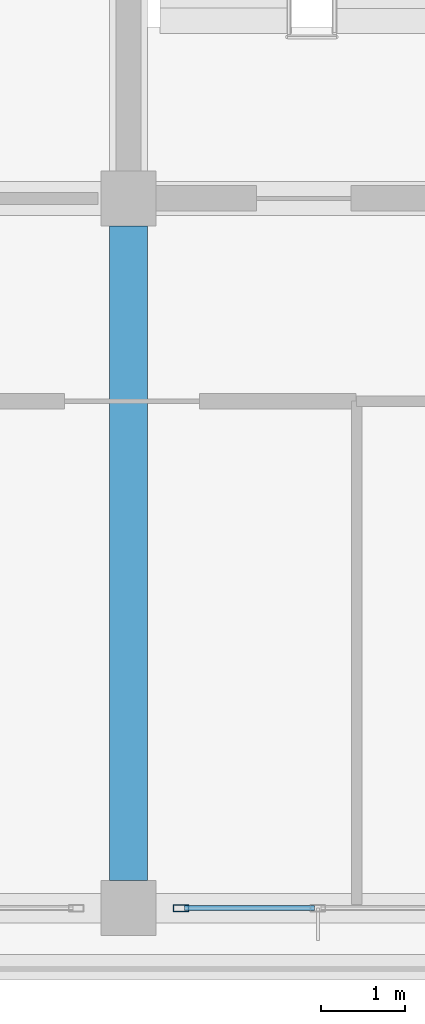
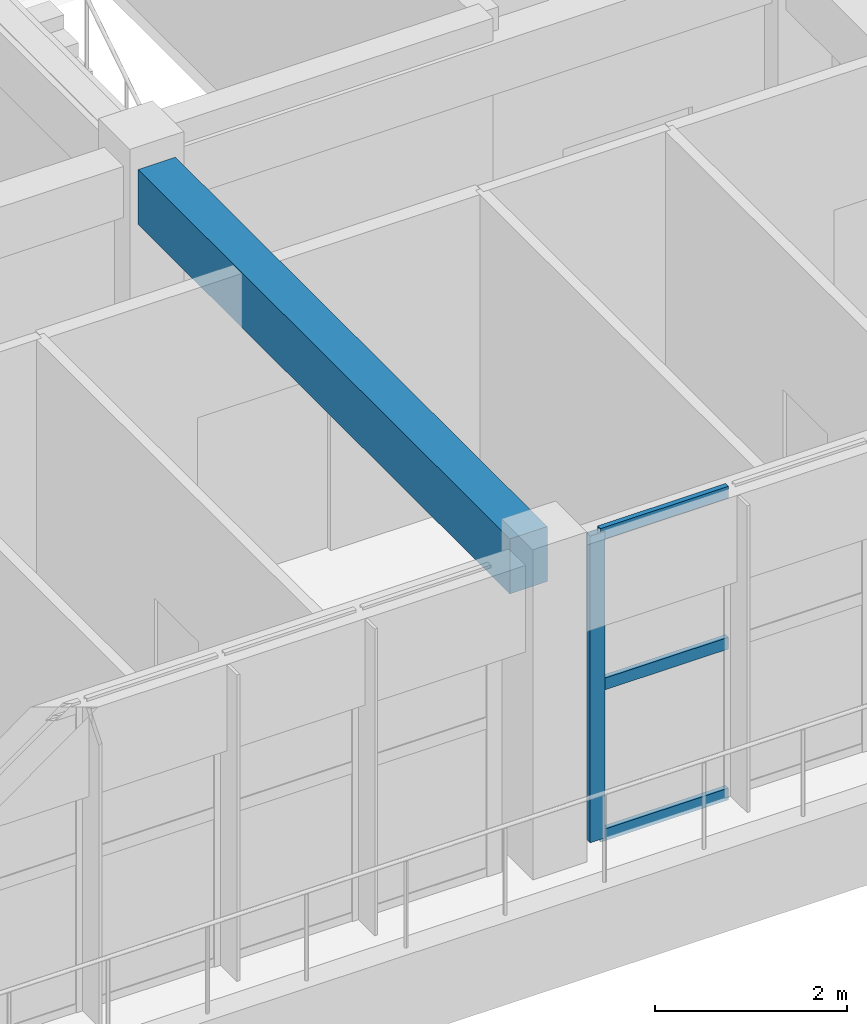
# One storey, part 22 of 63: 4 members, 1 beam, 1 element without a shape of its own.
"""IFC4 building model written with IfcOpenShell, lengths in metres."""

from ifc_helpers import new_model, si_unit, direction, frame, origin, origin_2d, place, context, subcontext, project, spatial, rectangle, hollow_rectangle, extrude, material, layer, layer_set, material_profile, profile_set, type_object, element, aggregate, save


model = new_model("IFC4")

# Units and contexts
model_context = context("Model", 3, precision=1e-05, world=origin(), true_north=direction((0.0, 1.0)))
body_context = subcontext(model_context, "Body", "Model", "MODEL_VIEW")
ifc_project = project(units=[si_unit("LENGTHUNIT", "METRE"), si_unit("AREAUNIT", "SQUARE_METRE"), si_unit("VOLUMEUNIT", "CUBIC_METRE"), si_unit("PLANEANGLEUNIT", "RADIAN"), si_unit("MASSUNIT", "GRAM", prefix="KILO")], contexts=[model_context])

# Site, building, storey
site_placement = place(None, origin())
site = spatial("IfcSite", under=ifc_project, at=site_placement, CompositionType="ELEMENT")
building_placement = place(site_placement, origin())
building = spatial("IfcBuilding", under=site, at=building_placement, Name="Zizhar Promenade General Hospital", CompositionType="ELEMENT")
storey_placement = place(building_placement, frame((0.0, 0.0, 18.0)))
storey = spatial("IfcBuildingStorey", under=building, at=storey_placement, Name="L04", CompositionType="ELEMENT", Elevation=18.0)

# Beam
ifc_material_1 = material(Name="Concrete C35/45", Category="concrete")
ifc_material_profile_1 = material_profile(ifc_material_1, rectangle(XDim=0.449951171875, YDim=0.699951171875, at=origin_2d()))
ifc_profile_set_1 = profile_set([ifc_material_profile_1], Name="Concrete C35/45")
beam_type = type_object("IfcBeamType", Name="BM-RC-450x700", PredefinedType="BEAM", material=ifc_profile_set_1)
beam_placement = place(storey_placement, frame((93.60009765625, 0.324951171875, 3.56005859375), z_axis=(0.0, 1.0, 0.0), x_axis=(-1.0, 0.0, 0.0)))
element("IfcBeam", 1, at=beam_placement, inside=storey, type_object=beam_type, Name="Grid Beam Y L04 (12-0)", PredefinedType="BEAM", context=body_context, shape_type="SweptSolid", body=[
    extrude(rectangle(XDim=0.449951171875, YDim=0.699951171875, at=origin_2d()), origin(), (0.0, 0.0, 1.0), 7.75),
])

# Curtain wall, members
ifc_material_2 = material(Name="Anodised aluminium 6063-T6 and low-E glass", Category="aluminium")
ifc_layer = layer(ifc_material_2, 0.159912109375)
ifc_layer_set = layer_set([ifc_layer], Name="Anodised aluminium 6063-T6 and low-E glass")
curtain_wall_type = type_object("IfcCurtainWallType", Name="CW-WARD-RIB", PredefinedType="NOTDEFINED", material=ifc_layer_set)
curtain_wall_placement = place(storey_placement, origin())
curtain_wall = element("IfcCurtainWall", 2, at=curtain_wall_placement, inside=storey, type_object=curtain_wall_type, Name="Ward Ribbon Curtain Wall L04-17-2", PredefinedType="NOTDEFINED")
ifc_material_3 = material(Name="Anodised aluminium 6063-T6", Category="aluminium")
ifc_material_profile_2 = material_profile(ifc_material_3, hollow_rectangle(XDim=0.080078125, YDim=0.179931640625, WallThickness=0.0048828125, at=origin_2d()))
ifc_profile_set_2 = profile_set([ifc_material_profile_2], Name="Anodised aluminium 6063-T6")
member_type_1 = type_object("IfcMemberType", Name="CWM-ALU-180x80", PredefinedType="MULLION", material=ifc_profile_set_2)
member_1_placement = place(storey_placement, frame((94.219970703125, 0.0, 0.0), z_axis=(0.0, 0.0, 1.0), x_axis=(0.0, -1.0, 0.0)))
member_1 = element("IfcMember", 3, at=member_1_placement, type_object=member_type_1, Name="CW-13 mullion 5", PredefinedType="MULLION", context=body_context, shape_type="SweptSolid", body=[
    extrude(hollow_rectangle(XDim=0.080078125, YDim=0.179931640625, WallThickness=0.0048828125, at=origin_2d()), origin(), (0.0, 0.0, 1.0), 3.89990234375),
])
ifc_material_4 = material(Name="Anodised aluminium 6063-T6", Category="aluminium")
ifc_material_profile_3 = material_profile(ifc_material_4, hollow_rectangle(XDim=0.06005859375, YDim=0.14990234375, WallThickness=0.00390625, at=origin_2d()))
ifc_profile_set_3 = profile_set([ifc_material_profile_3], Name="Anodised aluminium 6063-T6")
member_type_2 = type_object("IfcMemberType", Name="CWT-ALU-150x60", PredefinedType="USERDEFINED", material=ifc_profile_set_3)
member_2_placement = place(storey_placement, frame((95.800048828125, 0.0, 0.030029296875), z_axis=(-1.0, 0.0, 0.0), x_axis=(0.0, -1.0, 0.0)))
member_2 = element("IfcMember", 4, at=member_2_placement, type_object=member_type_2, Name="CW-13 transom 4.1", ObjectType="TRANSOM", PredefinedType="USERDEFINED", context=body_context, shape_type="SweptSolid", body=[
    extrude(hollow_rectangle(XDim=0.06005859375, YDim=0.14990234375, WallThickness=0.00390625, at=origin_2d()), origin(), (0.0, 0.0, 1.0), 1.5400390625),
])
member_3_placement = place(storey_placement, frame((95.800048828125, 0.0, 1.949951171875), z_axis=(-1.0, 0.0, 0.0), x_axis=(0.0, -1.0, 0.0)))
member_3 = element("IfcMember", 5, at=member_3_placement, type_object=member_type_2, Name="CW-13 transom 4.2", ObjectType="TRANSOM", PredefinedType="USERDEFINED", context=body_context, shape_type="SweptSolid", body=[
    extrude(hollow_rectangle(XDim=0.06005859375, YDim=0.14990234375, WallThickness=0.00390625, at=origin_2d()), origin(), (0.0, 0.0, 1.0), 1.5400390625),
])
member_4_placement = place(storey_placement, frame((95.800048828125, 0.0, 3.8701171875), z_axis=(-1.0, 0.0, 0.0), x_axis=(0.0, -1.0, 0.0)))
member_4 = element("IfcMember", 6, at=member_4_placement, type_object=member_type_2, Name="CW-13 transom 4.3", ObjectType="TRANSOM", PredefinedType="USERDEFINED", context=body_context, shape_type="SweptSolid", body=[
    extrude(hollow_rectangle(XDim=0.06005859375, YDim=0.14990234375, WallThickness=0.00390625, at=origin_2d()), origin(), (0.0, 0.0, 1.0), 1.5400390625),
])
aggregate(curtain_wall, [member_1, member_2, member_3, member_4])

save(model, "model.ifc")
